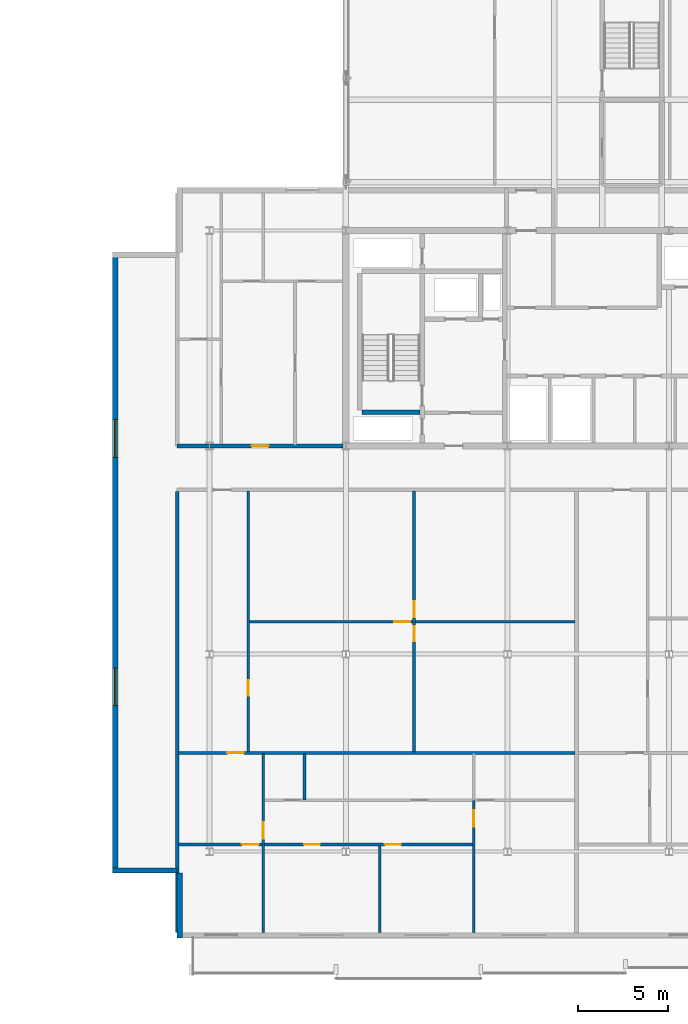
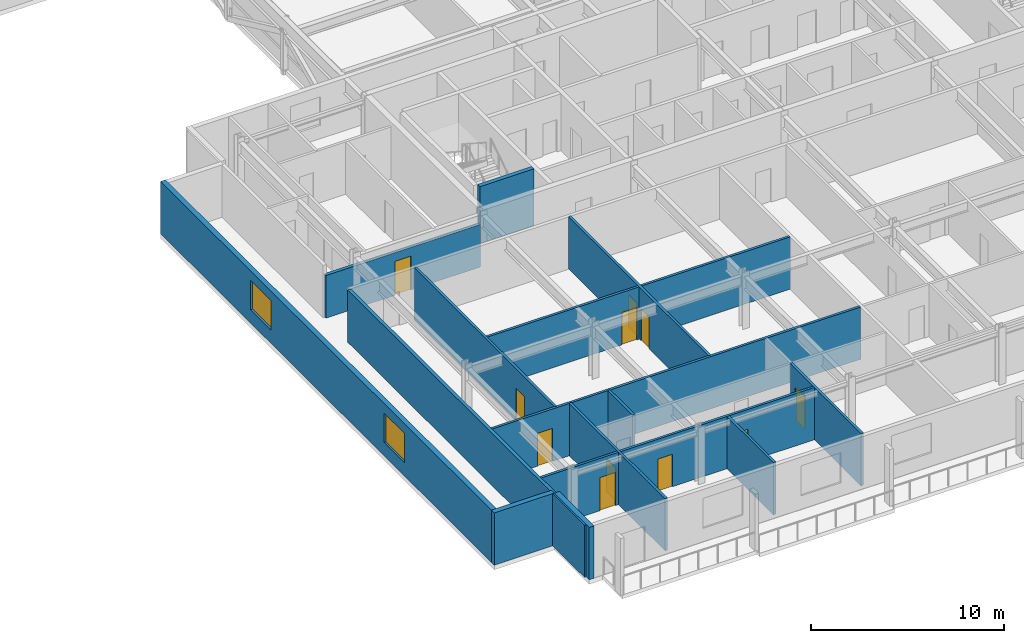
# One storey, part 17 of 36: 15 walls, 11 doors, 2 windows, 13 openings.
"""IFC4 building model written with IfcOpenShell, lengths in metres."""

from ifc_helpers import new_model, si_unit, direction, frame, frame_2d, origin, place, context, subcontext, project, spatial, rectangle, extrude, material, layer, layer_set, type_object, element, fill, save


model = new_model("IFC4")

# Units and contexts
model_context = context("Model", 3, precision=1e-05, world=origin(), true_north=direction((0.0, 1.0)))
body_context = subcontext(model_context, "Body", "Model", "MODEL_VIEW")
ifc_project = project(units=[si_unit("LENGTHUNIT", "METRE"), si_unit("AREAUNIT", "SQUARE_METRE"), si_unit("VOLUMEUNIT", "CUBIC_METRE"), si_unit("PLANEANGLEUNIT", "RADIAN"), si_unit("MASSUNIT", "GRAM", prefix="KILO")], contexts=[model_context])

# Site, building, storey
site_placement = place(None, origin())
site = spatial("IfcSite", under=ifc_project, at=site_placement, CompositionType="ELEMENT")
building_placement = place(site_placement, origin())
building = spatial("IfcBuilding", under=site, at=building_placement, Name="Korimba Cascade Residences", CompositionType="ELEMENT")
storey_placement = place(building_placement, frame((0.0, 0.0, 146.5)))
storey = spatial("IfcBuildingStorey", under=building, at=storey_placement, Name="L42", CompositionType="ELEMENT", Elevation=146.5)

# Wall, openings, windows
ifc_material_1 = material(Name="Precast concrete C40/50", Category="concrete")
ifc_layer_1 = layer(ifc_material_1, 0.300048828125)
ifc_layer_set_1 = layer_set([ifc_layer_1], Name="Precast concrete C40/50")
wall_type_1 = type_object("IfcWallType", Name="EW-STONE-300", PredefinedType="STANDARD", material=ifc_layer_set_1)
wall_1_placement = place(storey_placement, frame((69.25, 29.199951171875, 0.0), z_axis=(0.0, 0.0, 1.0), x_axis=(0.0, -1.0, 0.0)))
wall_1 = element("IfcWall", 1, at=wall_1_placement, inside=storey, type_object=wall_type_1, Name="L42 T2 Perimeter Stone Wall E09", PredefinedType="STANDARD", context=body_context, shape_type="SweptSolid", body=[
    extrude(rectangle(XDim=34.599853515625, YDim=0.300048828125, at=frame_2d((17.2998046875, 0.0))), origin(), (0.0, 0.0, 1.0), 3.31005859375),
])
opening_1_placement = place(wall_1_placement, frame((9.330078125, 0.0, 0.85009765625)))
opening_1 = element("IfcOpeningElement", 2, at=opening_1_placement, cuts=wall_1, Name="Opening W-03", PredefinedType="OPENING", context=body_context, shape_type="SweptSolid", body=[
    extrude(rectangle(XDim=2.10009765625, YDim=1.85009765625, at=frame_2d((1.050048828125, 0.925048828125))), frame((0.0, 0.16015625, 0.0), z_axis=(0.0, -1.0, 0.0), x_axis=(1.0, 0.0, 0.0)), (0.0, 0.0, 1.0), 0.320068359375),
])
opening_2_placement = place(wall_1_placement, frame((23.169921875, 0.0, 0.85009765625)))
opening_2 = element("IfcOpeningElement", 3, at=opening_2_placement, cuts=wall_1, Name="Opening W-03", PredefinedType="OPENING", context=body_context, shape_type="SweptSolid", body=[
    extrude(rectangle(XDim=2.10009765625, YDim=1.85009765625, at=frame_2d((1.050048828125, 0.925048828125))), frame((0.0, 0.16015625, 0.0), z_axis=(0.0, -1.0, 0.0), x_axis=(1.0, 0.0, 0.0)), (0.0, 0.0, 1.0), 0.320068359375),
])
ifc_material_2 = material(Name="Double-Glazed Aluminium Window", Category="aluminium")
window_type = type_object("IfcWindowType", Name="WIN-CRN-2100", PartitioningType="DOUBLE_PANEL_HORIZONTAL", PredefinedType="WINDOW", material=ifc_material_2)
window_1_placement = place(opening_1_placement, origin())
window_1 = element("IfcWindow", 4, at=window_1_placement, inside=storey, type_object=window_type, Name="L42 T2 End View Window 9.1", OverallHeight=1.85009765625, OverallWidth=2.10009765625, PartitioningType="DOUBLE_PANEL_HORIZONTAL", PredefinedType="WINDOW", context=body_context, shape_type="SweptSolid", body=[
    extrude(rectangle(XDim=2.10009765625, YDim=1.85009765625, at=frame_2d((1.050048828125, 0.925048828125))), frame((0.0, 0.030029296875, 0.0), z_axis=(0.0, -1.0, 0.0), x_axis=(1.0, 0.0, 0.0)), (0.0, 0.0, 1.0), 0.06005859375),
])
fill(opening_1, window_1)
window_2_placement = place(opening_2_placement, origin())
window_2 = element("IfcWindow", 5, at=window_2_placement, inside=storey, type_object=window_type, Name="L42 T2 End View Window 9.2", OverallHeight=1.85009765625, OverallWidth=2.10009765625, PartitioningType="DOUBLE_PANEL_HORIZONTAL", PredefinedType="WINDOW", context=body_context, shape_type="SweptSolid", body=[
    extrude(rectangle(XDim=2.10009765625, YDim=1.85009765625, at=frame_2d((1.050048828125, 0.925048828125))), frame((0.0, 0.030029296875, 0.0), z_axis=(0.0, -1.0, 0.0), x_axis=(1.0, 0.0, 0.0)), (0.0, 0.0, 1.0), 0.06005859375),
])
fill(opening_2, window_2)

# Walls
wall_2_placement = place(storey_placement, frame((69.10009765625, -5.25, 0.0), z_axis=(0.0, 0.0, 1.0), x_axis=(1.0, 0.0, 0.0)))
element("IfcWall", 6, at=wall_2_placement, inside=storey, type_object=wall_type_1, Name="L42 T2 Perimeter Stone Wall E10", PredefinedType="STANDARD", context=body_context, shape_type="SweptSolid", body=[
    extrude(rectangle(XDim=3.599853515625, YDim=0.300048828125, at=frame_2d((1.7998046875, 0.0))), origin(), (0.0, 0.0, 1.0), 3.31005859375),
])
wall_3_placement = place(storey_placement, frame((72.85009765625, -5.39990234375, 0.0), z_axis=(0.0, 0.0, 1.0), x_axis=(0.0, -1.0, 0.0)))
element("IfcWall", 7, at=wall_3_placement, inside=storey, type_object=wall_type_1, Name="L42 T2 Perimeter Stone Wall E11", PredefinedType="STANDARD", context=body_context, shape_type="SweptSolid", body=[
    extrude(rectangle(XDim=3.60009765625, YDim=0.300048828125, at=frame_2d((1.800048828125, 0.0))), origin(), (0.0, 0.0, 1.0), 3.31005859375),
])

# Wall, opening, door
ifc_layer_2 = layer(ifc_material_1, 0.199951171875)
ifc_layer_set_2 = layer_set([ifc_layer_2], Name="Precast concrete C40/50")
wall_type_2 = type_object("IfcWallType", Name="WAL-IT-200", PredefinedType="PARTITIONING", material=ifc_layer_set_2)
wall_4_placement = place(storey_placement, frame((72.699951171875, 18.39990234375, 0.0), z_axis=(0.0, 0.0, 1.0), x_axis=(1.0, 0.0, 0.0)))
wall_4 = element("IfcWall", 8, at=wall_4_placement, inside=storey, type_object=wall_type_2, Name="L42 Partition Wall WAL-L42-T2-FW-S", PredefinedType="PARTITIONING", context=body_context, shape_type="SweptSolid", body=[
    extrude(rectangle(XDim=9.25, YDim=0.199951171875, at=frame_2d((4.625, 0.0))), origin(), (0.0, 0.0, 1.0), 2.69775390625),
])
opening_3_placement = place(wall_4_placement, frame((4.14990234375, 0.0, 0.0)))
opening_3 = element("IfcOpeningElement", 9, at=opening_3_placement, cuts=wall_4, Name="Opening D-UN1", PredefinedType="OPENING", context=body_context, shape_type="SweptSolid", body=[
    extrude(rectangle(XDim=0.949951171875, YDim=2.14990234375, at=frame_2d((0.47509765625, 1.074951171875))), frame((0.0, 0.10986328125, 0.0), z_axis=(0.0, -1.0, 0.0), x_axis=(1.0, 0.0, 0.0)), (0.0, 0.0, 1.0), 0.219970703125),
])
ifc_material_3 = material(Name="Fire-Rated Hardwood Apartment Entrance Door", Category="wood")
door_type_1 = type_object("IfcDoorType", Name="DR-FD60-950", OperationType="NOTDEFINED", PredefinedType="DOOR", material=ifc_material_3)
door_1_placement = place(opening_3_placement, origin())
door_1 = element("IfcDoor", 10, at=door_1_placement, inside=storey, type_object=door_type_1, Name="L42-T2-FW Entrance Door", OperationType="SINGLE_SWING_RIGHT", OverallHeight=2.14990234375, OverallWidth=0.949951171875, PredefinedType="DOOR", context=body_context, shape_type="SweptSolid", body=[
    extrude(rectangle(XDim=0.949951171875, YDim=2.14990234375, at=frame_2d((0.47509765625, 1.074951171875))), frame((0.0, 0.02490234375, 0.0), z_axis=(0.0, -1.0, 0.0), x_axis=(1.0, 0.0, 0.0)), (0.0, 0.0, 1.0), 0.050048828125),
])
fill(opening_3, door_1)

# Wall
wall_5_placement = place(storey_placement, frame((72.699951171875, -8.699951171875, 0.0), z_axis=(0.0, 0.0, 1.0), x_axis=(0.0, 1.0, 0.0)))
element("IfcWall", 11, at=wall_5_placement, inside=storey, type_object=wall_type_2, Name="L42 Partition Wall WAL-L42-T2-BNDWL", PredefinedType="PARTITIONING", context=body_context, shape_type="SweptSolid", body=[
    extrude(rectangle(XDim=24.570068359375, YDim=0.199951171875, at=frame_2d((12.28515625, 0.0))), origin(), (0.0, 0.0, 1.0), 3.31005859375),
])

# Wall, openings, doors
ifc_material_4 = material(Name="Insulated Acoustic Stud Partition", Category="gypsum")
ifc_layer_3 = layer(ifc_material_4, 0.14990234375)
ifc_layer_set_3 = layer_set([ifc_layer_3], Name="Insulated Acoustic Stud Partition")
wall_type_3 = type_object("IfcWallType", Name="WAL-PART-150", PredefinedType="PARTITIONING", material=ifc_layer_set_3)
wall_6_placement = place(storey_placement, frame((85.89990234375, 1.340087890625, 0.0), z_axis=(0.0, 0.0, 1.0), x_axis=(0.0, 1.0, 0.0)))
wall_6 = element("IfcWall", 12, at=wall_6_placement, inside=storey, type_object=wall_type_3, Name="L42 Partition Wall WAL-L42-T2-U01-FMV", PredefinedType="PARTITIONING", context=body_context, shape_type="SweptSolid", body=[
    extrude(rectangle(XDim=14.5498046875, YDim=0.14990234375, at=frame_2d((7.27490234375, 0.0))), origin(), (0.0, 0.0, 1.0), 3.31005859375),
])
opening_4_placement = place(wall_6_placement, frame((6.18505859375, 0.0, 0.0)))
opening_4 = element("IfcOpeningElement", 13, at=opening_4_placement, cuts=wall_6, Name="Opening D-BT1", PredefinedType="OPENING", context=body_context, shape_type="SweptSolid", body=[
    extrude(rectangle(XDim=0.840087890625, YDim=2.0400390625, at=frame_2d((0.419921875, 1.02001953125))), frame((0.0, 0.0849609375, 0.0), z_axis=(0.0, -1.0, 0.0), x_axis=(1.0, 0.0, 0.0)), (0.0, 0.0, 1.0), 0.169921875),
])
opening_5_placement = place(wall_6_placement, frame((7.52490234375, 0.0, 0.0)))
opening_5 = element("IfcOpeningElement", 14, at=opening_5_placement, cuts=wall_6, Name="Opening D-IN2", PredefinedType="OPENING", context=body_context, shape_type="SweptSolid", body=[
    extrude(rectangle(XDim=0.8798828125, YDim=2.06005859375, at=frame_2d((0.43994140625, 1.030029296875))), frame((0.0, 0.0849609375, 0.0), z_axis=(0.0, -1.0, 0.0), x_axis=(1.0, 0.0, 0.0)), (0.0, 0.0, 1.0), 0.169921875),
])
ifc_material_5 = material(Name="Moisture-Resistant Bathroom Timber Door", Category="wood")
door_type_2 = type_object("IfcDoorType", Name="DR-INT-850", OperationType="NOTDEFINED", PredefinedType="DOOR", material=ifc_material_5)
door_2_placement = place(opening_4_placement, origin())
door_2 = element("IfcDoor", 15, at=door_2_placement, inside=storey, type_object=door_type_2, Name="L42-T2-U01 Wardrobe Door", OperationType="SINGLE_SWING_LEFT", OverallHeight=2.0400390625, OverallWidth=0.840087890625, PredefinedType="DOOR", context=body_context, shape_type="SweptSolid", body=[
    extrude(rectangle(XDim=0.840087890625, YDim=2.0400390625, at=frame_2d((0.419921875, 1.02001953125))), frame((0.0, 0.02490234375, 0.0), z_axis=(0.0, -1.0, 0.0), x_axis=(1.0, 0.0, 0.0)), (0.0, 0.0, 1.0), 0.050048828125),
])
fill(opening_4, door_2)
ifc_material_6 = material(Name="Acoustic Timber Bedroom Door", Category="wood")
door_type_3 = type_object("IfcDoorType", Name="DR-INT-880", OperationType="NOTDEFINED", PredefinedType="DOOR", material=ifc_material_6)
door_3_placement = place(opening_5_placement, origin())
door_3 = element("IfcDoor", 16, at=door_3_placement, inside=storey, type_object=door_type_3, Name="L42-T2-U01 Music Lounge Door", OperationType="SINGLE_SWING_RIGHT", OverallHeight=2.06005859375, OverallWidth=0.8798828125, PredefinedType="DOOR", context=body_context, shape_type="SweptSolid", body=[
    extrude(rectangle(XDim=0.8798828125, YDim=2.06005859375, at=frame_2d((0.43994140625, 1.030029296875))), frame((0.0, 0.02490234375, 0.0), z_axis=(0.0, -1.0, 0.0), x_axis=(1.0, 0.0, 0.0)), (0.0, 0.0, 1.0), 0.050048828125),
])
fill(opening_5, door_3)

# Wall, opening, door
wall_7_placement = place(storey_placement, frame((76.72998046875, 8.614990234375, 0.0), z_axis=(0.0, 0.0, 1.0), x_axis=(1.0, 0.0, 0.0)))
wall_7 = element("IfcWall", 17, at=wall_7_placement, inside=storey, type_object=wall_type_3, Name="L42 Partition Wall WAL-L42-T2-U01-FMH", PredefinedType="PARTITIONING", context=body_context, shape_type="SweptSolid", body=[
    extrude(rectangle(XDim=18.14013671875, YDim=0.14990234375, at=frame_2d((9.070068359375, 0.0))), origin(), (0.0, 0.0, 1.0), 3.31005859375),
])
opening_6_placement = place(wall_7_placement, frame((8.070068359375, 0.0, 0.0)))
opening_6 = element("IfcOpeningElement", 18, at=opening_6_placement, cuts=wall_7, Name="Opening D-IN2", PredefinedType="OPENING", context=body_context, shape_type="SweptSolid", body=[
    extrude(rectangle(XDim=0.8798828125, YDim=2.06005859375, at=frame_2d((0.43994140625, 1.030029296875))), frame((0.0, 0.0849609375, 0.0), z_axis=(0.0, -1.0, 0.0), x_axis=(1.0, 0.0, 0.0)), (0.0, 0.0, 1.0), 0.169921875),
])
door_4_placement = place(opening_6_placement, origin())
door_4 = element("IfcDoor", 19, at=door_4_placement, inside=storey, type_object=door_type_3, Name="L42-T2-U01 Library Salon Door", OperationType="SINGLE_SWING_LEFT", OverallHeight=2.06005859375, OverallWidth=0.8798828125, PredefinedType="DOOR", context=body_context, shape_type="SweptSolid", body=[
    extrude(rectangle(XDim=0.8798828125, YDim=2.06005859375, at=frame_2d((0.43994140625, 1.030029296875))), frame((0.0, 0.02490234375, 0.0), z_axis=(0.0, -1.0, 0.0), x_axis=(1.0, 0.0, 0.0)), (0.0, 0.0, 1.0), 0.050048828125),
])
fill(opening_6, door_4)

wall_8_placement = place(storey_placement, frame((76.669921875, 1.340087890625, 0.0), z_axis=(0.0, 0.0, 1.0), x_axis=(0.0, 1.0, 0.0)))
wall_8 = element("IfcWall", 20, at=wall_8_placement, inside=storey, type_object=wall_type_3, Name="L42 Partition Wall WAL-L42-T2-U01-FV", PredefinedType="PARTITIONING", context=body_context, shape_type="SweptSolid", body=[
    extrude(rectangle(XDim=14.5498046875, YDim=0.14990234375, at=frame_2d((7.27490234375, 0.0))), origin(), (0.0, 0.0, 1.0), 3.31005859375),
])
opening_7_placement = place(wall_8_placement, frame((3.131591796875, 0.0, 0.0)))
opening_7 = element("IfcOpeningElement", 21, at=opening_7_placement, cuts=wall_8, Name="Opening D-IN2", PredefinedType="OPENING", context=body_context, shape_type="SweptSolid", body=[
    extrude(rectangle(XDim=0.8798828125, YDim=2.06005859375, at=frame_2d((0.43994140625, 1.030029296875))), frame((0.0, 0.0849609375, 0.0), z_axis=(0.0, -1.0, 0.0), x_axis=(1.0, 0.0, 0.0)), (0.0, 0.0, 1.0), 0.169921875),
])
door_5_placement = place(opening_7_placement, origin())
door_5 = element("IfcDoor", 22, at=door_5_placement, inside=storey, type_object=door_type_3, Name="L42-T2-U01 Media Lounge Door", OperationType="SINGLE_SWING_RIGHT", OverallHeight=2.06005859375, OverallWidth=0.8798828125, PredefinedType="DOOR", context=body_context, shape_type="SweptSolid", body=[
    extrude(rectangle(XDim=0.8798828125, YDim=2.06005859375, at=frame_2d((0.43994140625, 1.030029296875))), frame((0.0, 0.02490234375, 0.0), z_axis=(0.0, -1.0, 0.0), x_axis=(1.0, 0.0, 0.0)), (0.0, 0.0, 1.0), 0.050048828125),
])
fill(opening_7, door_5)

# Walls
wall_9_placement = place(storey_placement, frame((79.800048828125, -1.320068359375, 0.0), z_axis=(0.0, 0.0, 1.0), x_axis=(0.0, 1.0, 0.0)))
element("IfcWall", 23, at=wall_9_placement, inside=storey, type_object=wall_type_3, Name="L42 Partition Wall WAL-L42-T2-U01-VDRS", PredefinedType="PARTITIONING", context=body_context, shape_type="SweptSolid", body=[
    extrude(rectangle(XDim=2.580078125, YDim=0.14990234375, at=frame_2d((1.2900390625, 0.0))), origin(), (0.0, 0.0, 1.0), 3.31005859375),
])
wall_10_placement = place(storey_placement, frame((83.97998046875, -8.699951171875, 0.0), z_axis=(0.0, 0.0, 1.0), x_axis=(0.0, 1.0, 0.0)))
element("IfcWall", 24, at=wall_10_placement, inside=storey, type_object=wall_type_3, Name="L42 Partition Wall WAL-L42-T2-U01-VSTD", PredefinedType="PARTITIONING", context=body_context, shape_type="SweptSolid", body=[
    extrude(rectangle(XDim=4.820068359375, YDim=0.14990234375, at=frame_2d((2.41015625, 0.0))), origin(), (0.0, 0.0, 1.0), 3.31005859375),
])

# Wall, opening, door
wall_11_placement = place(storey_placement, frame((77.489990234375, -8.699951171875, 0.0), z_axis=(0.0, 0.0, 1.0), x_axis=(0.0, 1.0, 0.0)))
wall_11 = element("IfcWall", 25, at=wall_11_placement, inside=storey, type_object=wall_type_3, Name="L42 Partition Wall WAL-L42-T2-U01-V1", PredefinedType="PARTITIONING", context=body_context, shape_type="SweptSolid", body=[
    extrude(rectangle(XDim=9.9599609375, YDim=0.14990234375, at=frame_2d((4.97998046875, 0.0))), origin(), (0.0, 0.0, 1.0), 3.31005859375),
])
opening_8_placement = place(wall_11_placement, frame((5.219970703125, 0.0, 0.0)))
opening_8 = element("IfcOpeningElement", 26, at=opening_8_placement, cuts=wall_11, Name="Opening D-IN1", PredefinedType="OPENING", context=body_context, shape_type="SweptSolid", body=[
    extrude(rectangle(XDim=0.919921875, YDim=2.080078125, at=frame_2d((0.4599609375, 1.0400390625))), frame((0.0, 0.0849609375, 0.0), z_axis=(0.0, -1.0, 0.0), x_axis=(1.0, 0.0, 0.0)), (0.0, 0.0, 1.0), 0.169921875),
])
ifc_material_7 = material(Name="Acoustic Timber Living Door", Category="wood")
door_type_4 = type_object("IfcDoorType", Name="DR-INT-920", OperationType="NOTDEFINED", PredefinedType="DOOR", material=ifc_material_7)
door_6_placement = place(opening_8_placement, origin())
door_6 = element("IfcDoor", 27, at=door_6_placement, inside=storey, type_object=door_type_4, Name="L42-T2-U01 Hallway Door", OperationType="SINGLE_SWING_LEFT", OverallHeight=2.080078125, OverallWidth=0.919921875, PredefinedType="DOOR", context=body_context, shape_type="SweptSolid", body=[
    extrude(rectangle(XDim=0.919921875, YDim=2.080078125, at=frame_2d((0.4599609375, 1.0400390625))), frame((0.0, 0.02490234375, 0.0), z_axis=(0.0, -1.0, 0.0), x_axis=(1.0, 0.0, 0.0)), (0.0, 0.0, 1.0), 0.050048828125),
])
fill(opening_8, door_6)

wall_12_placement = place(storey_placement, frame((89.219970703125, -8.699951171875, 0.0), z_axis=(0.0, 0.0, 1.0), x_axis=(0.0, 1.0, 0.0)))
wall_12 = element("IfcWall", 28, at=wall_12_placement, inside=storey, type_object=wall_type_3, Name="L42 Partition Wall WAL-L42-T2-U01-V2FULL", PredefinedType="PARTITIONING", context=body_context, shape_type="SweptSolid", body=[
    extrude(rectangle(XDim=7.33984375, YDim=0.14990234375, at=frame_2d((3.669921875, 0.0))), origin(), (0.0, 0.0, 1.0), 3.31005859375),
])
opening_9_placement = place(wall_12_placement, frame((5.896728515625, 0.0, 0.0)))
opening_9 = element("IfcOpeningElement", 29, at=opening_9_placement, cuts=wall_12, Name="Opening D-IN1", PredefinedType="OPENING", context=body_context, shape_type="SweptSolid", body=[
    extrude(rectangle(XDim=0.919921875, YDim=2.080078125, at=frame_2d((0.4599609375, 1.0400390625))), frame((0.0, 0.0849609375, 0.0), z_axis=(0.0, -1.0, 0.0), x_axis=(1.0, 0.0, 0.0)), (0.0, 0.0, 1.0), 0.169921875),
])
door_7_placement = place(opening_9_placement, origin())
door_7 = element("IfcDoor", 30, at=door_7_placement, inside=storey, type_object=door_type_4, Name="L42-T2-U01 Master Bedroom Door", OperationType="SINGLE_SWING_RIGHT", OverallHeight=2.080078125, OverallWidth=0.919921875, PredefinedType="DOOR", context=body_context, shape_type="SweptSolid", body=[
    extrude(rectangle(XDim=0.919921875, YDim=2.080078125, at=frame_2d((0.4599609375, 1.0400390625))), frame((0.0, 0.02490234375, 0.0), z_axis=(0.0, -1.0, 0.0), x_axis=(1.0, 0.0, 0.0)), (0.0, 0.0, 1.0), 0.050048828125),
])
fill(opening_9, door_7)

wall_13_placement = place(storey_placement, frame((72.780029296875, 1.300048828125, 0.0), z_axis=(0.0, 0.0, 1.0), x_axis=(1.0, 0.0, 0.0)))
wall_13 = element("IfcWall", 31, at=wall_13_placement, inside=storey, type_object=wall_type_3, Name="L42 Partition Wall WAL-L42-T2-U01-MW", PredefinedType="PARTITIONING", context=body_context, shape_type="SweptSolid", body=[
    extrude(rectangle(XDim=22.090087890625, YDim=0.14990234375, at=frame_2d((11.044921875, 0.0))), origin(), (0.0, 0.0, 1.0), 3.31005859375),
])
opening_10_placement = place(wall_13_placement, frame((2.719970703125, 0.0, 0.0)))
opening_10 = element("IfcOpeningElement", 32, at=opening_10_placement, cuts=wall_13, Name="Opening D-IN1", PredefinedType="OPENING", context=body_context, shape_type="SweptSolid", body=[
    extrude(rectangle(XDim=0.919921875, YDim=2.080078125, at=frame_2d((0.4599609375, 1.0400390625))), frame((0.0, 0.0849609375, 0.0), z_axis=(0.0, -1.0, 0.0), x_axis=(1.0, 0.0, 0.0)), (0.0, 0.0, 1.0), 0.169921875),
])
door_8_placement = place(opening_10_placement, origin())
door_8 = element("IfcDoor", 33, at=door_8_placement, inside=storey, type_object=door_type_4, Name="L42-T2-U01 Kitchen Door", OperationType="SINGLE_SWING_RIGHT", OverallHeight=2.080078125, OverallWidth=0.919921875, PredefinedType="DOOR", context=body_context, shape_type="SweptSolid", body=[
    extrude(rectangle(XDim=0.919921875, YDim=2.080078125, at=frame_2d((0.4599609375, 1.0400390625))), frame((0.0, 0.02490234375, 0.0), z_axis=(0.0, -1.0, 0.0), x_axis=(1.0, 0.0, 0.0)), (0.0, 0.0, 1.0), 0.050048828125),
])
fill(opening_10, door_8)

# Wall, openings, doors
wall_14_placement = place(storey_placement, frame((72.780029296875, -3.800048828125, 0.0), z_axis=(0.0, 0.0, 1.0), x_axis=(1.0, 0.0, 0.0)))
wall_14 = element("IfcWall", 34, at=wall_14_placement, inside=storey, type_object=wall_type_3, Name="L42 Partition Wall WAL-L42-T2-U01-HZ", PredefinedType="PARTITIONING", context=body_context, shape_type="SweptSolid", body=[
    extrude(rectangle(XDim=16.43994140625, YDim=0.14990234375, at=frame_2d((8.219970703125, 0.0))), origin(), (0.0, 0.0, 1.0), 3.31005859375),
])
opening_11_placement = place(wall_14_placement, frame((3.52001953125, 0.0, 0.0)))
opening_11 = element("IfcOpeningElement", 35, at=opening_11_placement, cuts=wall_14, Name="Opening D-IN0", PredefinedType="OPENING", context=body_context, shape_type="SweptSolid", body=[
    extrude(rectangle(XDim=0.93994140625, YDim=2.10009765625, at=frame_2d((0.469970703125, 1.050048828125))), frame((0.0, 0.0849609375, 0.0), z_axis=(0.0, -1.0, 0.0), x_axis=(1.0, 0.0, 0.0)), (0.0, 0.0, 1.0), 0.169921875),
])
opening_12_placement = place(wall_14_placement, frame((6.998046875, 0.0, 0.0)))
opening_12 = element("IfcOpeningElement", 36, at=opening_12_placement, cuts=wall_14, Name="Opening D-IN2", PredefinedType="OPENING", context=body_context, shape_type="SweptSolid", body=[
    extrude(rectangle(XDim=0.8798828125, YDim=2.06005859375, at=frame_2d((0.43994140625, 1.030029296875))), frame((0.0, 0.0849609375, 0.0), z_axis=(0.0, -1.0, 0.0), x_axis=(1.0, 0.0, 0.0)), (0.0, 0.0, 1.0), 0.169921875),
])
opening_13_placement = place(wall_14_placement, frame((11.498291015625, 0.0, 0.0)))
opening_13 = element("IfcOpeningElement", 37, at=opening_13_placement, cuts=wall_14, Name="Opening D-IN2", PredefinedType="OPENING", context=body_context, shape_type="SweptSolid", body=[
    extrude(rectangle(XDim=0.8798828125, YDim=2.06005859375, at=frame_2d((0.43994140625, 1.030029296875))), frame((0.0, 0.0849609375, 0.0), z_axis=(0.0, -1.0, 0.0), x_axis=(1.0, 0.0, 0.0)), (0.0, 0.0, 1.0), 0.169921875),
])
door_9_placement = place(opening_12_placement, origin())
door_9 = element("IfcDoor", 38, at=door_9_placement, inside=storey, type_object=door_type_3, Name="L42-T2-U01 Bedroom 2 Door", OperationType="SINGLE_SWING_RIGHT", OverallHeight=2.06005859375, OverallWidth=0.8798828125, PredefinedType="DOOR", context=body_context, shape_type="SweptSolid", body=[
    extrude(rectangle(XDim=0.8798828125, YDim=2.06005859375, at=frame_2d((0.43994140625, 1.030029296875))), frame((0.0, 0.02490234375, 0.0), z_axis=(0.0, -1.0, 0.0), x_axis=(1.0, 0.0, 0.0)), (0.0, 0.0, 1.0), 0.050048828125),
])
fill(opening_12, door_9)
door_10_placement = place(opening_13_placement, origin())
door_10 = element("IfcDoor", 39, at=door_10_placement, inside=storey, type_object=door_type_3, Name="L42-T2-U01 Study Door", OperationType="SINGLE_SWING_LEFT", OverallHeight=2.06005859375, OverallWidth=0.8798828125, PredefinedType="DOOR", context=body_context, shape_type="SweptSolid", body=[
    extrude(rectangle(XDim=0.8798828125, YDim=2.06005859375, at=frame_2d((0.43994140625, 1.030029296875))), frame((0.0, 0.02490234375, 0.0), z_axis=(0.0, -1.0, 0.0), x_axis=(1.0, 0.0, 0.0)), (0.0, 0.0, 1.0), 0.050048828125),
])
fill(opening_13, door_10)
ifc_material_8 = material(Name="Acoustic Timber Living Archway Door", Category="wood")
door_type_5 = type_object("IfcDoorType", Name="DR-INT-950", OperationType="NOTDEFINED", PredefinedType="DOOR", material=ifc_material_8)
door_11_placement = place(opening_11_placement, origin())
door_11 = element("IfcDoor", 40, at=door_11_placement, inside=storey, type_object=door_type_5, Name="L42-T2-U01 Living Room Door", OperationType="SINGLE_SWING_LEFT", OverallHeight=2.10009765625, OverallWidth=0.93994140625, PredefinedType="DOOR", context=body_context, shape_type="SweptSolid", body=[
    extrude(rectangle(XDim=0.93994140625, YDim=2.10009765625, at=frame_2d((0.469970703125, 1.050048828125))), frame((0.0, 0.02490234375, 0.0), z_axis=(0.0, -1.0, 0.0), x_axis=(1.0, 0.0, 0.0)), (0.0, 0.0, 1.0), 0.050048828125),
])
fill(opening_11, door_11)

# Wall
ifc_material_9 = material(Name="Concrete C50/60", Category="concrete")
ifc_layer_4 = layer(ifc_material_9, 0.25)
ifc_layer_set_4 = layer_set([ifc_layer_4], Name="Concrete C50/60")
wall_type_4 = type_object("IfcWallType", Name="WAL-SHAFT-250", PredefinedType="SHEAR", material=ifc_layer_set_4)
wall_15_placement = place(storey_placement, frame((83.0, 20.27490234375, 0.0), z_axis=(0.0, 0.0, 1.0), x_axis=(1.0, 0.0, 0.0)))
element("IfcWall", 41, at=wall_15_placement, inside=storey, type_object=wall_type_4, Name="L42 Core Shear Wall CW-L42-T2-STE1S", PredefinedType="SHEAR", context=body_context, shape_type="SweptSolid", body=[
    extrude(rectangle(XDim=3.239990234375, YDim=0.25, at=frame_2d((1.6201171875, 0.0))), origin(), (0.0, 0.0, 1.0), 3.60009765625),
])

save(model, "model.ifc")
